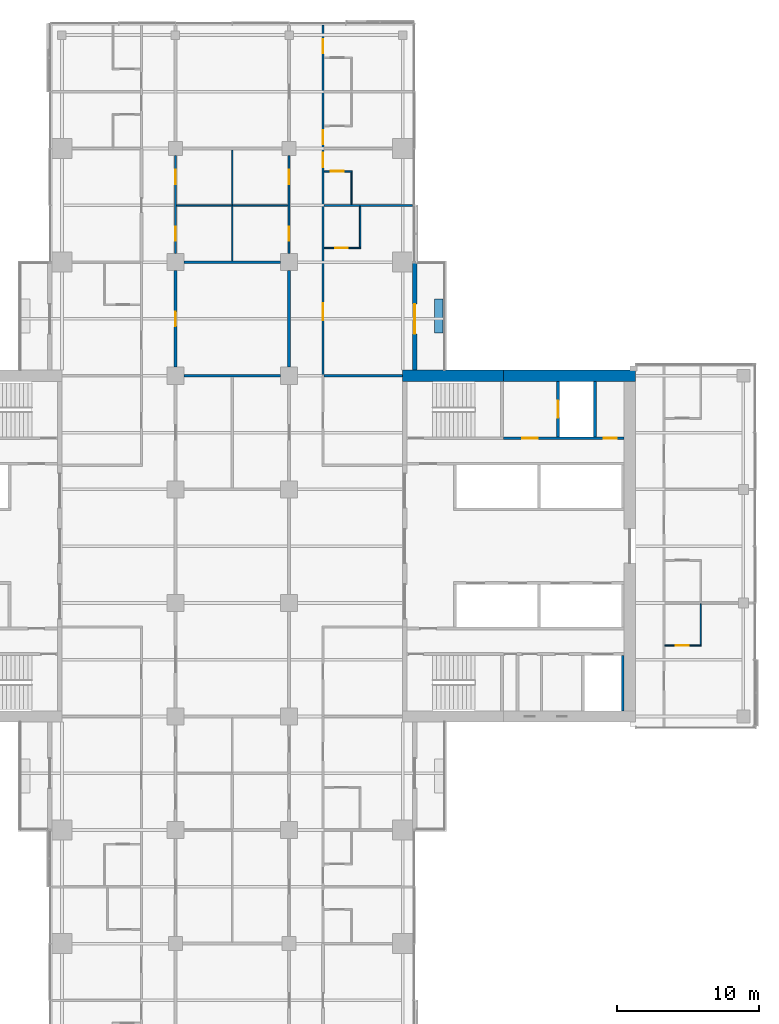
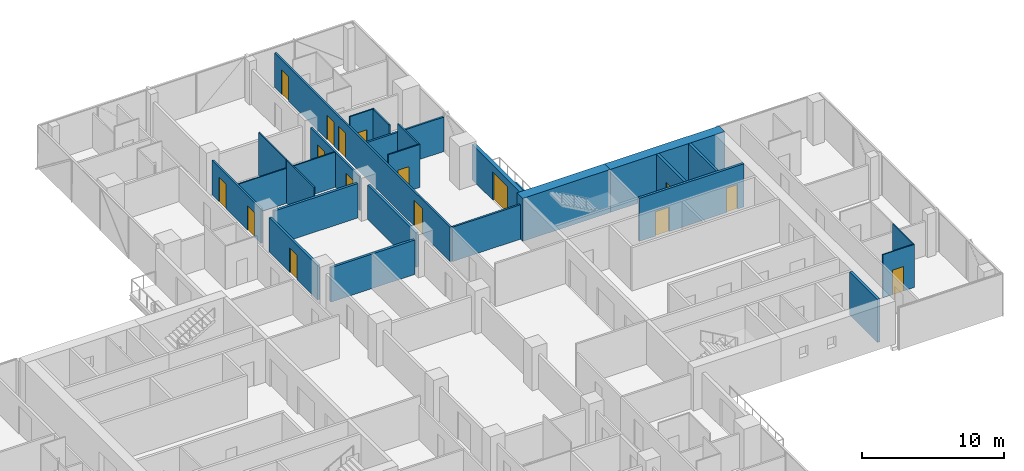
# One storey, part 20 of 27: 26 walls, 16 doors, 16 openings.
"""IFC4 building model written with IfcOpenShell, lengths in metres."""

from ifc_helpers import new_model, si_unit, direction, frame, frame_2d, origin, place, context, subcontext, project, spatial, rectangle, extrude, material, layer, layer_set, constituent, constituent_set, type_object, element, fill, save


model = new_model("IFC4")

# Units and contexts
model_context = context("Model", 3, precision=1e-05, world=origin(), true_north=direction((0.0, 1.0)))
body_context = subcontext(model_context, "Body", "Model", "MODEL_VIEW")
ifc_project = project(units=[si_unit("LENGTHUNIT", "METRE"), si_unit("AREAUNIT", "SQUARE_METRE"), si_unit("VOLUMEUNIT", "CUBIC_METRE"), si_unit("PLANEANGLEUNIT", "RADIAN"), si_unit("MASSUNIT", "GRAM", prefix="KILO")], contexts=[model_context])

# Site, building, storey
site_placement = place(None, origin())
site = spatial("IfcSite", under=ifc_project, at=site_placement, CompositionType="ELEMENT")
building_placement = place(site_placement, origin())
building = spatial("IfcBuilding", under=site, at=building_placement, Name="Crosswind Convention Tower", CompositionType="ELEMENT")
storey_placement = place(building_placement, frame((0.0, 0.0, 83.10009765625)))
storey = spatial("IfcBuildingStorey", under=building, at=storey_placement, Name="L15", CompositionType="ELEMENT", Elevation=83.10009765625)

# Wall, openings, doors
ifc_material_1 = material(Name="Plasterboard partition", Category="gypsum")
ifc_layer_1 = layer(ifc_material_1, 0.14990234375)
ifc_layer_set_1 = layer_set([ifc_layer_1], Name="CORRIDOR WALL 150")
wall_type_1 = type_object("IfcWallType", Name="CORRIDOR WALL 150", PredefinedType="PARTITIONING", material=ifc_layer_set_1)
wall_1_placement = place(storey_placement, frame((121.0, 120.60009765625, 0.0), z_axis=(0.0, 0.0, 1.0), x_axis=(0.0, 1.0, 0.0)))
wall_1 = element("IfcWall", 1, at=wall_1_placement, inside=storey, type_object=wall_type_1, Name="Corridor Wall 87", PredefinedType="PARTITIONING", context=body_context, shape_type="SweptSolid", body=[
    extrude(rectangle(XDim=6.89990234375, YDim=0.14990234375, at=frame_2d((3.449951171875, 0.0))), origin(), (0.0, 0.0, 1.0), 2.959716796875),
])
opening_1_placement = place(wall_1_placement, frame((0.89990234375, 0.0, 0.0)))
opening_1 = element("IfcOpeningElement", 2, at=opening_1_placement, cuts=wall_1, Name="Opening 15.059", PredefinedType="OPENING", context=body_context, shape_type="SweptSolid", body=[
    extrude(rectangle(XDim=1.0, YDim=2.10009765625, at=frame_2d((0.5, 1.050048828125))), frame((0.0, 0.0849609375, 0.0), z_axis=(0.0, -1.0, 0.0), x_axis=(1.0, 0.0, 0.0)), (0.0, 0.0, 1.0), 0.169921875),
])
opening_2_placement = place(wall_1_placement, frame((4.89990234375, 0.0, 0.0)))
opening_2 = element("IfcOpeningElement", 3, at=opening_2_placement, cuts=wall_1, Name="Opening 15.060", PredefinedType="OPENING", context=body_context, shape_type="SweptSolid", body=[
    extrude(rectangle(XDim=1.0, YDim=2.10009765625, at=frame_2d((0.5, 1.050048828125))), frame((0.0, 0.0849609375, 0.0), z_axis=(0.0, -1.0, 0.0), x_axis=(1.0, 0.0, 0.0)), (0.0, 0.0, 1.0), 0.169921875),
])
ifc_material_2 = material(Name="Timber fire door", Category="wood")
door_type_1 = type_object("IfcDoorType", Name="SERVICE ROOM DOOR 1000X2100", OperationType="NOTDEFINED", PredefinedType="DOOR", material=ifc_material_2)
door_1_placement = place(opening_1_placement, frame((1.0, 0.0, 0.0), z_axis=(0.0, 0.0, 1.0), x_axis=(-1.0, 0.0, 0.0)))
door_1 = element("IfcDoor", 4, at=door_1_placement, inside=storey, type_object=door_type_1, Name="Door 15.059", ObjectType="D3", OperationType="SINGLE_SWING_RIGHT", OverallHeight=2.10009765625, OverallWidth=1.0, PredefinedType="DOOR", context=body_context, shape_type="SweptSolid", body=[
    extrude(rectangle(XDim=1.0, YDim=2.10009765625, at=frame_2d((0.5, 1.050048828125))), frame((0.0, 0.02490234375, 0.0), z_axis=(0.0, -1.0, 0.0), x_axis=(1.0, 0.0, 0.0)), (0.0, 0.0, 1.0), 0.050048828125),
])
fill(opening_1, door_1)
door_2_placement = place(opening_2_placement, frame((1.0, 0.0, 0.0), z_axis=(0.0, 0.0, 1.0), x_axis=(-1.0, 0.0, 0.0)))
door_2 = element("IfcDoor", 5, at=door_2_placement, inside=storey, type_object=door_type_1, Name="Door 15.060", ObjectType="D3", OperationType="SINGLE_SWING_LEFT", OverallHeight=2.10009765625, OverallWidth=1.0, PredefinedType="DOOR", context=body_context, shape_type="SweptSolid", body=[
    extrude(rectangle(XDim=1.0, YDim=2.10009765625, at=frame_2d((0.5, 1.050048828125))), frame((0.0, 0.02490234375, 0.0), z_axis=(0.0, -1.0, 0.0), x_axis=(1.0, 0.0, 0.0)), (0.0, 0.0, 1.0), 0.050048828125),
])
fill(opening_2, door_2)

wall_2_placement = place(storey_placement, frame((129.0, 120.60009765625, 0.0), z_axis=(0.0, 0.0, 1.0), x_axis=(0.0, 1.0, 0.0)))
wall_2 = element("IfcWall", 6, at=wall_2_placement, inside=storey, type_object=wall_type_1, Name="Corridor Wall 105", PredefinedType="PARTITIONING", context=body_context, shape_type="SweptSolid", body=[
    extrude(rectangle(XDim=6.89990234375, YDim=0.14990234375, at=frame_2d((3.449951171875, 0.0))), origin(), (0.0, 0.0, 1.0), 2.959716796875),
])
opening_3_placement = place(wall_2_placement, frame((0.89990234375, 0.0, 0.0)))
opening_3 = element("IfcOpeningElement", 7, at=opening_3_placement, cuts=wall_2, Name="Opening 15.061", PredefinedType="OPENING", context=body_context, shape_type="SweptSolid", body=[
    extrude(rectangle(XDim=1.0, YDim=2.10009765625, at=frame_2d((0.5, 1.050048828125))), frame((0.0, 0.0849609375, 0.0), z_axis=(0.0, -1.0, 0.0), x_axis=(1.0, 0.0, 0.0)), (0.0, 0.0, 1.0), 0.169921875),
])
opening_4_placement = place(wall_2_placement, frame((4.89990234375, 0.0, 0.0)))
opening_4 = element("IfcOpeningElement", 8, at=opening_4_placement, cuts=wall_2, Name="Opening 15.062", PredefinedType="OPENING", context=body_context, shape_type="SweptSolid", body=[
    extrude(rectangle(XDim=1.0, YDim=2.10009765625, at=frame_2d((0.5, 1.050048828125))), frame((0.0, 0.0849609375, 0.0), z_axis=(0.0, -1.0, 0.0), x_axis=(1.0, 0.0, 0.0)), (0.0, 0.0, 1.0), 0.169921875),
])
door_3_placement = place(opening_3_placement, origin())
door_3 = element("IfcDoor", 9, at=door_3_placement, inside=storey, type_object=door_type_1, Name="Door 15.061", ObjectType="D3", OperationType="SINGLE_SWING_LEFT", OverallHeight=2.10009765625, OverallWidth=1.0, PredefinedType="DOOR", context=body_context, shape_type="SweptSolid", body=[
    extrude(rectangle(XDim=1.0, YDim=2.10009765625, at=frame_2d((0.5, 1.050048828125))), frame((0.0, 0.02490234375, 0.0), z_axis=(0.0, -1.0, 0.0), x_axis=(1.0, 0.0, 0.0)), (0.0, 0.0, 1.0), 0.050048828125),
])
fill(opening_3, door_3)
door_4_placement = place(opening_4_placement, origin())
door_4 = element("IfcDoor", 10, at=door_4_placement, inside=storey, type_object=door_type_1, Name="Door 15.062", ObjectType="D3", OperationType="SINGLE_SWING_RIGHT", OverallHeight=2.10009765625, OverallWidth=1.0, PredefinedType="DOOR", context=body_context, shape_type="SweptSolid", body=[
    extrude(rectangle(XDim=1.0, YDim=2.10009765625, at=frame_2d((0.5, 1.050048828125))), frame((0.0, 0.02490234375, 0.0), z_axis=(0.0, -1.0, 0.0), x_axis=(1.0, 0.0, 0.0)), (0.0, 0.0, 1.0), 0.050048828125),
])
fill(opening_4, door_4)

# Wall, opening, door
ifc_material_3 = material(Name="Concrete C50/60", Category="concrete")
ifc_layer_2 = layer(ifc_material_3, 0.199951171875)
ifc_layer_set_2 = layer_set([ifc_layer_2], Name="Concrete C50/60")
wall_type_2 = type_object("IfcWallType", Name="Concrete shaft and stair wall 200", PredefinedType="SHEAR", material=ifc_layer_set_2)
wall_3_placement = place(storey_placement, frame((147.949951171875, 107.699951171875, 0.0), z_axis=(0.0, 0.0, 1.0), x_axis=(0.0, 1.0, 0.0)))
wall_3 = element("IfcWall", 11, at=wall_3_placement, inside=storey, type_object=wall_type_2, Name="Wall PFLW E L15", PredefinedType="SHEAR", context=body_context, shape_type="SweptSolid", body=[
    extrude(rectangle(XDim=3.900146484375, YDim=0.199951171875, at=frame_2d((1.9501953125, 0.0))), origin(), (0.0, 0.0, 1.0), 3.699951171875),
])
opening_5_placement = place(wall_3_placement, frame((1.35009765625, 0.0, 0.0)))
opening_5 = element("IfcOpeningElement", 12, at=opening_5_placement, cuts=wall_3, Name="Opening LD1", PredefinedType="OPENING", context=body_context, shape_type="SweptSolid", body=[
    extrude(rectangle(XDim=1.199951171875, YDim=2.10009765625, at=frame_2d((0.60009765625, 1.050048828125))), frame((0.0, 0.10986328125, 0.0), z_axis=(0.0, -1.0, 0.0), x_axis=(1.0, 0.0, 0.0)), (0.0, 0.0, 1.0), 0.219970703125),
])
ifc_material_4 = material(Name="Stainless steel", Category="steel")
door_type_2 = type_object("IfcDoorType", Name="Lift landing door 1200x2100", OperationType="DOUBLE_DOOR_SLIDING", PredefinedType="DOOR", material=ifc_material_4)
door_5_placement = place(opening_5_placement, origin())
door_5 = element("IfcDoor", 13, at=door_5_placement, inside=storey, type_object=door_type_2, Name="Landing door FF1 L15", ObjectType="LD1", OperationType="DOUBLE_DOOR_SLIDING", OverallHeight=2.10009765625, OverallWidth=1.199951171875, PredefinedType="DOOR", context=body_context, shape_type="SweptSolid", body=[
    extrude(rectangle(XDim=1.199951171875, YDim=2.10009765625, at=frame_2d((0.60009765625, 1.050048828125))), frame((0.0, 0.02490234375, 0.0), z_axis=(0.0, -1.0, 0.0), x_axis=(1.0, 0.0, 0.0)), (0.0, 0.0, 1.0), 0.050048828125),
])
fill(opening_5, door_5)

# Wall
wall_4_placement = place(storey_placement, frame((150.550048828125, 107.699951171875, 0.0), z_axis=(0.0, 0.0, 1.0), x_axis=(0.0, 1.0, 0.0)))
element("IfcWall", 14, at=wall_4_placement, inside=storey, type_object=wall_type_2, Name="Wall PFSE E L15", PredefinedType="SHEAR", context=body_context, shape_type="SweptSolid", body=[
    extrude(rectangle(XDim=3.900146484375, YDim=0.199951171875, at=frame_2d((1.9501953125, 0.0))), origin(), (0.0, 0.0, 1.0), 3.699951171875),
])

# Wall, openings, doors
wall_5_placement = place(storey_placement, frame((144.10009765625, 107.60009765625, 0.0), z_axis=(0.0, 0.0, 1.0), x_axis=(1.0, 0.0, 0.0)))
wall_5 = element("IfcWall", 15, at=wall_5_placement, inside=storey, type_object=wall_type_2, Name="Wall PCX E L15", PredefinedType="SHEAR", context=body_context, shape_type="SweptSolid", body=[
    extrude(rectangle(XDim=8.5, YDim=0.199951171875, at=frame_2d((4.25, 0.0))), origin(), (0.0, 0.0, 1.0), 3.699951171875),
])
opening_6_placement = place(wall_5_placement, frame((1.324951171875, 0.0, 0.0)))
opening_6 = element("IfcOpeningElement", 16, at=opening_6_placement, cuts=wall_5, Name="Opening D104", PredefinedType="OPENING", context=body_context, shape_type="SweptSolid", body=[
    extrude(rectangle(XDim=1.10009765625, YDim=2.10009765625, at=frame_2d((0.550048828125, 1.050048828125))), frame((0.0, 0.10986328125, 0.0), z_axis=(0.0, -1.0, 0.0), x_axis=(1.0, 0.0, 0.0)), (0.0, 0.0, 1.0), 0.219970703125),
])
opening_7_placement = place(wall_5_placement, frame((7.074951171875, 0.0, 0.0)))
opening_7 = element("IfcOpeningElement", 17, at=opening_7_placement, cuts=wall_5, Name="Opening D106", PredefinedType="OPENING", context=body_context, shape_type="SweptSolid", body=[
    extrude(rectangle(XDim=0.89990234375, YDim=2.10009765625, at=frame_2d((0.449951171875, 1.050048828125))), frame((0.0, 0.10986328125, 0.0), z_axis=(0.0, -1.0, 0.0), x_axis=(1.0, 0.0, 0.0)), (0.0, 0.0, 1.0), 0.219970703125),
])
ifc_material_5 = material(Name="Steel fire door", Category="steel")
door_type_3 = type_object("IfcDoorType", Name="Fire-rated single door 1100x2100", OperationType="NOTDEFINED", PredefinedType="DOOR", material=ifc_material_5)
door_6_placement = place(opening_6_placement, origin())
door_6 = element("IfcDoor", 18, at=door_6_placement, inside=storey, type_object=door_type_3, Name="Fire-fighting lobby FF1 door L15", ObjectType="D104", OperationType="SINGLE_SWING_RIGHT", OverallHeight=2.10009765625, OverallWidth=1.10009765625, PredefinedType="DOOR", context=body_context, shape_type="SweptSolid", body=[
    extrude(rectangle(XDim=1.10009765625, YDim=2.10009765625, at=frame_2d((0.550048828125, 1.050048828125))), frame((0.0, 0.02490234375, 0.0), z_axis=(0.0, -1.0, 0.0), x_axis=(1.0, 0.0, 0.0)), (0.0, 0.0, 1.0), 0.050048828125),
])
fill(opening_6, door_6)
ifc_material_6 = material(Name="Timber door", Category="wood")
door_type_4 = type_object("IfcDoorType", Name="Single leaf door 900x2100", OperationType="NOTDEFINED", PredefinedType="DOOR", material=ifc_material_6)
door_7_placement = place(opening_7_placement, origin())
door_7 = element("IfcDoor", 19, at=door_7_placement, inside=storey, type_object=door_type_4, Name="Door to comms room L15", ObjectType="D106", OperationType="SINGLE_SWING_RIGHT", OverallHeight=2.10009765625, OverallWidth=0.89990234375, PredefinedType="DOOR", context=body_context, shape_type="SweptSolid", body=[
    extrude(rectangle(XDim=0.89990234375, YDim=2.10009765625, at=frame_2d((0.449951171875, 1.050048828125))), frame((0.0, 0.02490234375, 0.0), z_axis=(0.0, -1.0, 0.0), x_axis=(1.0, 0.0, 0.0)), (0.0, 0.0, 1.0), 0.050048828125),
])
fill(opening_7, door_7)

# Walls
wall_6_placement = place(storey_placement, frame((152.5, 88.39990234375, 0.0), z_axis=(0.0, 0.0, 1.0), x_axis=(0.0, 1.0, 0.0)))
element("IfcWall", 20, at=wall_6_placement, inside=storey, type_object=wall_type_2, Name="Wall MFSE E L15", PredefinedType="SHEAR", context=body_context, shape_type="SweptSolid", body=[
    extrude(rectangle(XDim=3.900146484375, YDim=0.199951171875, at=frame_2d((1.9501953125, 0.0))), origin(), (0.0, 0.0, 1.0), 3.699951171875),
])
ifc_material_7 = material(Name="Acoustic plasterboard partition", Category="gypsum")
ifc_layer_3 = layer(ifc_material_7, 0.14990234375)
ifc_layer_set_3 = layer_set([ifc_layer_3], Name="GUEST ROOM WALL 150")
wall_type_3 = type_object("IfcWallType", Name="GUEST ROOM WALL 150", PredefinedType="PARTITIONING", material=ifc_layer_set_3)
wall_7_placement = place(storey_placement, frame((131.47509765625, 112.0, 0.0), z_axis=(0.0, 0.0, 1.0), x_axis=(1.0, 0.0, 0.0)))
element("IfcWall", 21, at=wall_7_placement, inside=storey, type_object=wall_type_3, Name="Guest Room Wall 44", PredefinedType="PARTITIONING", context=body_context, shape_type="SweptSolid", body=[
    extrude(rectangle(XDim=5.52490234375, YDim=0.14990234375, at=frame_2d((2.762451171875, 0.0))), origin(), (0.0, 0.0, 1.0), 2.956298828125),
])
wall_8_placement = place(storey_placement, frame((131.47509765625, 124.0, 0.0), z_axis=(0.0, 0.0, 1.0), x_axis=(1.0, 0.0, 0.0)))
element("IfcWall", 22, at=wall_8_placement, inside=storey, type_object=wall_type_3, Name="Guest Room Wall 50", PredefinedType="PARTITIONING", context=body_context, shape_type="SweptSolid", body=[
    extrude(rectangle(XDim=6.224853515625, YDim=0.14990234375, at=frame_2d((3.1123046875, 0.0))), origin(), (0.0, 0.0, 1.0), 2.962646484375),
])

# Wall, openings, doors
wall_9_placement = place(storey_placement, frame((131.39990234375, 112.0, 0.0), z_axis=(0.0, 0.0, 1.0), x_axis=(0.0, 1.0, 0.0)))
wall_9 = element("IfcWall", 23, at=wall_9_placement, inside=storey, type_object=wall_type_3, Name="Guest Room Wall 112", PredefinedType="PARTITIONING", context=body_context, shape_type="SweptSolid", body=[
    extrude(rectangle(XDim=24.699951171875, YDim=0.14990234375, at=frame_2d((12.35009765625, 0.0))), origin(), (0.0, 0.0, 1.0), 2.956298828125),
])
opening_8_placement = place(wall_9_placement, frame((3.89990234375, 0.0, 0.0)))
opening_8 = element("IfcOpeningElement", 24, at=opening_8_placement, cuts=wall_9, Name="Opening 15.005", PredefinedType="OPENING", context=body_context, shape_type="SweptSolid", body=[
    extrude(rectangle(XDim=1.199951171875, YDim=2.199951171875, at=frame_2d((0.60009765625, 1.10009765625))), frame((0.0, 0.0849609375, 0.0), z_axis=(0.0, -1.0, 0.0), x_axis=(1.0, 0.0, 0.0)), (0.0, 0.0, 1.0), 0.169921875),
])
opening_9_placement = place(wall_9_placement, frame((14.699951171875, 0.0, 0.0)))
opening_9 = element("IfcOpeningElement", 25, at=opening_9_placement, cuts=wall_9, Name="Opening 15.007", PredefinedType="OPENING", context=body_context, shape_type="SweptSolid", body=[
    extrude(rectangle(XDim=1.0, YDim=2.10009765625, at=frame_2d((0.5, 1.050048828125))), frame((0.0, 0.0849609375, 0.0), z_axis=(0.0, -1.0, 0.0), x_axis=(1.0, 0.0, 0.0)), (0.0, 0.0, 1.0), 0.169921875),
])
opening_10_placement = place(wall_9_placement, frame((16.300048828125, 0.0, 0.0)))
opening_10 = element("IfcOpeningElement", 26, at=opening_10_placement, cuts=wall_9, Name="Opening 15.009", PredefinedType="OPENING", context=body_context, shape_type="SweptSolid", body=[
    extrude(rectangle(XDim=1.0, YDim=2.10009765625, at=frame_2d((0.5, 1.050048828125))), frame((0.0, 0.0849609375, 0.0), z_axis=(0.0, -1.0, 0.0), x_axis=(1.0, 0.0, 0.0)), (0.0, 0.0, 1.0), 0.169921875),
])
opening_11_placement = place(wall_9_placement, frame((22.699951171875, 0.0, 0.0)))
opening_11 = element("IfcOpeningElement", 27, at=opening_11_placement, cuts=wall_9, Name="Opening 15.011", PredefinedType="OPENING", context=body_context, shape_type="SweptSolid", body=[
    extrude(rectangle(XDim=1.0, YDim=2.10009765625, at=frame_2d((0.5, 1.050048828125))), frame((0.0, 0.0849609375, 0.0), z_axis=(0.0, -1.0, 0.0), x_axis=(1.0, 0.0, 0.0)), (0.0, 0.0, 1.0), 0.169921875),
])
door_type_5 = type_object("IfcDoorType", Name="GUEST ROOM DOOR 1000X2100", OperationType="NOTDEFINED", PredefinedType="DOOR", material=ifc_material_2)
door_8_placement = place(opening_9_placement, frame((1.0, 0.0, 0.0), z_axis=(0.0, 0.0, 1.0), x_axis=(-1.0, 0.0, 0.0)))
door_8 = element("IfcDoor", 28, at=door_8_placement, inside=storey, type_object=door_type_5, Name="Door 15.007", ObjectType="D1", OperationType="SINGLE_SWING_LEFT", OverallHeight=2.10009765625, OverallWidth=1.0, PredefinedType="DOOR", context=body_context, shape_type="SweptSolid", body=[
    extrude(rectangle(XDim=1.0, YDim=2.10009765625, at=frame_2d((0.5, 1.050048828125))), frame((0.0, 0.02490234375, 0.0), z_axis=(0.0, -1.0, 0.0), x_axis=(1.0, 0.0, 0.0)), (0.0, 0.0, 1.0), 0.050048828125),
])
fill(opening_9, door_8)
door_9_placement = place(opening_10_placement, frame((1.0, 0.0, 0.0), z_axis=(0.0, 0.0, 1.0), x_axis=(-1.0, 0.0, 0.0)))
door_9 = element("IfcDoor", 29, at=door_9_placement, inside=storey, type_object=door_type_5, Name="Door 15.009", ObjectType="D1", OperationType="SINGLE_SWING_LEFT", OverallHeight=2.10009765625, OverallWidth=1.0, PredefinedType="DOOR", context=body_context, shape_type="SweptSolid", body=[
    extrude(rectangle(XDim=1.0, YDim=2.10009765625, at=frame_2d((0.5, 1.050048828125))), frame((0.0, 0.02490234375, 0.0), z_axis=(0.0, -1.0, 0.0), x_axis=(1.0, 0.0, 0.0)), (0.0, 0.0, 1.0), 0.050048828125),
])
fill(opening_10, door_9)
door_10_placement = place(opening_11_placement, frame((1.0, 0.0, 0.0), z_axis=(0.0, 0.0, 1.0), x_axis=(-1.0, 0.0, 0.0)))
door_10 = element("IfcDoor", 30, at=door_10_placement, inside=storey, type_object=door_type_5, Name="Door 15.011", ObjectType="D1", OperationType="SINGLE_SWING_RIGHT", OverallHeight=2.10009765625, OverallWidth=1.0, PredefinedType="DOOR", context=body_context, shape_type="SweptSolid", body=[
    extrude(rectangle(XDim=1.0, YDim=2.10009765625, at=frame_2d((0.5, 1.050048828125))), frame((0.0, 0.02490234375, 0.0), z_axis=(0.0, -1.0, 0.0), x_axis=(1.0, 0.0, 0.0)), (0.0, 0.0, 1.0), 0.050048828125),
])
fill(opening_11, door_10)
door_type_6 = type_object("IfcDoorType", Name="SUITE DOOR 1200X2200", OperationType="DOUBLE_DOOR_SINGLE_SWING", PredefinedType="DOOR", material=ifc_material_2)
door_11_placement = place(opening_8_placement, frame((1.199951171875, 0.0, 0.0), z_axis=(0.0, 0.0, 1.0), x_axis=(-1.0, 0.0, 0.0)))
door_11 = element("IfcDoor", 31, at=door_11_placement, inside=storey, type_object=door_type_6, Name="Door 15.005", ObjectType="D14", OperationType="DOUBLE_DOOR_SINGLE_SWING", OverallHeight=2.199951171875, OverallWidth=1.199951171875, PredefinedType="DOOR", context=body_context, shape_type="SweptSolid", body=[
    extrude(rectangle(XDim=1.199951171875, YDim=2.199951171875, at=frame_2d((0.60009765625, 1.10009765625))), frame((0.0, 0.02490234375, 0.0), z_axis=(0.0, -1.0, 0.0), x_axis=(1.0, 0.0, 0.0)), (0.0, 0.0, 1.0), 0.050048828125),
])
fill(opening_8, door_11)

# Walls
ifc_material_8 = material(Name="Double plasterboard partition", Category="gypsum")
ifc_layer_4 = layer(ifc_material_8, 0.199951171875)
ifc_layer_set_4 = layer_set([ifc_layer_4], Name="HALL WALL 200")
wall_type_4 = type_object("IfcWallType", Name="HALL WALL 200", PredefinedType="PARTITIONING", material=ifc_layer_set_4)
for number, where, z_axis, x_axis, name in (
    (32, (121.60009765625, 112.0, 0.0), (0.0, 0.0, 1.0), (1.0, 0.0, 0.0), "Hall Wall 43"),
    (33, (121.60009765625, 120.0, 0.0), (0.0, 0.0, 1.0), (1.0, 0.0, 0.0), "Hall Wall 47"),
):
    element("IfcWall", number, at=place(storey_placement, frame(where, z_axis=z_axis, x_axis=x_axis)), inside=storey, type_object=wall_type_4, Name=name, PredefinedType="PARTITIONING", context=body_context, shape_type="SweptSolid", body=[
        extrude(rectangle(XDim=6.7998046875, YDim=0.199951171875, at=frame_2d((3.39990234375, 0.0))), origin(), (0.0, 0.0, 1.0), 2.959716796875),
    ])

# Wall, opening, door
wall_10_placement = place(storey_placement, frame((121.0, 112.60009765625, 0.0), z_axis=(0.0, 0.0, 1.0), x_axis=(0.0, 1.0, 0.0)))
wall_10 = element("IfcWall", 34, at=wall_10_placement, inside=storey, type_object=wall_type_4, Name="Hall Wall 86", PredefinedType="PARTITIONING", context=body_context, shape_type="SweptSolid", body=[
    extrude(rectangle(XDim=6.7998046875, YDim=0.199951171875, at=frame_2d((3.39990234375, 0.0))), origin(), (0.0, 0.0, 1.0), 2.959716796875),
])
opening_12_placement = place(wall_10_placement, frame((2.89990234375, 0.0, 0.0)))
opening_12 = element("IfcOpeningElement", 35, at=opening_12_placement, cuts=wall_10, Name="Opening 15.058", PredefinedType="OPENING", context=body_context, shape_type="SweptSolid", body=[
    extrude(rectangle(XDim=1.0, YDim=2.10009765625, at=frame_2d((0.5, 1.050048828125))), frame((0.0, 0.10986328125, 0.0), z_axis=(0.0, -1.0, 0.0), x_axis=(1.0, 0.0, 0.0)), (0.0, 0.0, 1.0), 0.219970703125),
])
door_type_7 = type_object("IfcDoorType", Name="MEETING ROOM DOOR 1000X2100", OperationType="NOTDEFINED", PredefinedType="DOOR", material=ifc_material_2)
door_12_placement = place(opening_12_placement, frame((1.0, 0.0, 0.0), z_axis=(0.0, 0.0, 1.0), x_axis=(-1.0, 0.0, 0.0)))
door_12 = element("IfcDoor", 36, at=door_12_placement, inside=storey, type_object=door_type_7, Name="Door 15.058", ObjectType="D13", OperationType="SINGLE_SWING_LEFT", OverallHeight=2.10009765625, OverallWidth=1.0, PredefinedType="DOOR", context=body_context, shape_type="SweptSolid", body=[
    extrude(rectangle(XDim=1.0, YDim=2.10009765625, at=frame_2d((0.5, 1.050048828125))), frame((0.0, 0.02490234375, 0.0), z_axis=(0.0, -1.0, 0.0), x_axis=(1.0, 0.0, 0.0)), (0.0, 0.0, 1.0), 0.050048828125),
])
fill(opening_12, door_12)

# Walls
wall_11_placement = place(storey_placement, frame((129.0, 112.60009765625, 0.0), z_axis=(0.0, 0.0, 1.0), x_axis=(0.0, 1.0, 0.0)))
element("IfcWall", 37, at=wall_11_placement, inside=storey, type_object=wall_type_4, Name="Hall Wall 104", PredefinedType="PARTITIONING", context=body_context, shape_type="SweptSolid", body=[
    extrude(rectangle(XDim=6.7998046875, YDim=0.199951171875, at=frame_2d((3.39990234375, 0.0))), origin(), (0.0, 0.0, 1.0), 2.959716796875),
])
ifc_layer_5 = layer(ifc_material_1, 0.10009765625)
ifc_layer_set_5 = layer_set([ifc_layer_5], Name="PARTITION 100")
wall_type_5 = type_object("IfcWallType", Name="PARTITION 100", PredefinedType="PARTITIONING", material=ifc_layer_set_5)
wall_12_placement = place(storey_placement, frame((121.074951171875, 124.0, 0.0), z_axis=(0.0, 0.0, 1.0), x_axis=(1.0, 0.0, 0.0)))
element("IfcWall", 38, at=wall_12_placement, inside=storey, type_object=wall_type_5, Name="Partition 49", PredefinedType="PARTITIONING", context=body_context, shape_type="SweptSolid", body=[
    extrude(rectangle(XDim=7.85009765625, YDim=0.10009765625, at=frame_2d((3.925048828125, 0.0))), origin(), (0.0, 0.0, 1.0), 3.013427734375),
])
for number, where, z_axis, x_axis, name in (
    (39, (125.0, 120.10009765625, 0.0), (0.0, 0.0, 1.0), (0.0, 1.0, 0.0), "Partition 94"),
    (40, (125.0, 124.050048828125, 0.0), (0.0, 0.0, 1.0), (0.0, 1.0, 0.0), "Partition 95"),
):
    element("IfcWall", number, at=place(storey_placement, frame(where, z_axis=z_axis, x_axis=x_axis)), inside=storey, type_object=wall_type_5, Name=name, PredefinedType="PARTITIONING", context=body_context, shape_type="SweptSolid", body=[
        extrude(rectangle(XDim=3.849853515625, YDim=0.10009765625, at=frame_2d((1.9248046875, 0.0))), origin(), (0.0, 0.0, 1.0), 3.699951171875),
    ])
ifc_material_9 = material(Name="Concrete C30/37", Category="concrete")
ifc_layer_6 = layer(ifc_material_9, 0.60009765625)
ifc_layer_set_6 = layer_set([ifc_layer_6], Name="Concrete C30/37")
wall_type_6 = type_object("IfcWallType", Name="PLANTER BOX WALL 600", PredefinedType="SOLIDWALL", material=ifc_layer_set_6)
wall_13_placement = place(storey_placement, frame((139.550048828125, 115.0, 0.0), z_axis=(0.0, 0.0, 1.0), x_axis=(0.0, 1.0, 0.0)))
element("IfcWall", 41, at=wall_13_placement, inside=storey, type_object=wall_type_6, Name="PLANTER L15 N-E.1-1", PredefinedType="SOLIDWALL", context=body_context, shape_type="SweptSolid", body=[
    extrude(rectangle(XDim=2.39990234375, YDim=0.60009765625, at=frame_2d((1.199951171875, 0.0))), origin(), (0.0, 0.0, 1.0), 0.599853515625),
])

# Wall, opening, door
ifc_material_10 = material(Name="Terracotta rainscreen", Category="ceramic")
ifc_layer_7 = layer(ifc_material_10, 0.02001953125)
ifc_material_11 = material(Name="Mineral wool insulation", Category="insulation")
ifc_layer_8 = layer(ifc_material_11, 0.10009765625)
ifc_material_12 = material(Name="Concrete blockwork", Category="masonry")
ifc_layer_9 = layer(ifc_material_12, 0.179931640625)
ifc_layer_set_7 = layer_set([ifc_layer_7, ifc_layer_8, ifc_layer_9], Name="TERRACOTTA INFILL WALL 300")
wall_type_7 = type_object("IfcWallType", Name="TERRACOTTA INFILL WALL 300", PredefinedType="SOLIDWALL", material=ifc_layer_set_7)
wall_14_placement = place(storey_placement, frame((137.85009765625, 112.39990234375, 0.0), z_axis=(0.0, 0.0, 1.0), x_axis=(0.0, 1.0, 0.0)))
wall_14 = element("IfcWall", 42, at=wall_14_placement, inside=storey, type_object=wall_type_7, Name="Notch front wall L15 N-E.1-1", PredefinedType="SOLIDWALL", context=body_context, shape_type="SweptSolid", body=[
    extrude(rectangle(XDim=7.567626953125, YDim=0.300048828125, at=frame_2d((3.78369140625, 0.0))), origin(), (0.0, 0.0, 1.0), 3.013427734375),
])
opening_13_placement = place(wall_14_placement, frame((2.550048828125, 0.0, 0.0)))
opening_13 = element("IfcOpeningElement", 43, at=opening_13_placement, cuts=wall_14, Name="Opening D141", PredefinedType="OPENING", context=body_context, shape_type="SweptSolid", body=[
    extrude(rectangle(XDim=2.10009765625, YDim=2.39990234375, at=frame_2d((1.050048828125, 1.199951171875))), frame((0.0, 0.159912109375, 0.0), z_axis=(0.0, -1.0, 0.0), x_axis=(1.0, 0.0, 0.0)), (0.0, 0.0, 1.0), 0.320068359375),
])
ifc_material_13 = material(Name="Aluminium glazed door", Category="aluminium")
door_type_8 = type_object("IfcDoorType", Name="BALCONY SLIDING DOOR 2100X2400", OperationType="SLIDING_TO_LEFT", PredefinedType="DOOR", material=ifc_material_13)
door_13_placement = place(opening_13_placement, frame((2.10009765625, 0.0, 0.0), z_axis=(0.0, 0.0, 1.0), x_axis=(-1.0, 0.0, 0.0)))
door_13 = element("IfcDoor", 44, at=door_13_placement, inside=storey, type_object=door_type_8, Name="D141 balcony door L15 N-E.1-1", ObjectType="D141", OperationType="SLIDING_TO_LEFT", OverallHeight=2.39990234375, OverallWidth=2.10009765625, PredefinedType="DOOR", context=body_context, shape_type="SweptSolid", body=[
    extrude(rectangle(XDim=2.10009765625, YDim=2.39990234375, at=frame_2d((1.050048828125, 1.199951171875))), frame((0.0, 0.02490234375, 0.0), z_axis=(0.0, -1.0, 0.0), x_axis=(1.0, 0.0, 0.0)), (0.0, 0.0, 1.0), 0.050048828125),
])
fill(opening_13, door_13)

# Walls
ifc_material_14 = material(Name="Concrete C60/75", Category="concrete")
ifc_constituent_1 = constituent(ifc_material_14, Name="Structure")
ifc_constituent_2 = constituent(ifc_material_10, Name="Facing")
ifc_constituent_set = constituent_set(constituents=[ifc_constituent_1, ifc_constituent_2], Name="Concrete C60/75, Terracotta rainscreen")
wall_type_8 = type_object("IfcWallType", Name="Terracotta rainscreen on concrete core wall 800", PredefinedType="SHEAR", material=ifc_constituent_set)
wall_15_placement = place(storey_placement, frame((137.0, 112.0, 0.0), z_axis=(0.0, 0.0, 1.0), x_axis=(1.0, 0.0, 0.0)))
element("IfcWall", 45, at=wall_15_placement, inside=storey, type_object=wall_type_8, Name="Wall N1 E L15", PredefinedType="SHEAR", context=body_context, shape_type="SweptSolid", body=[
    extrude(rectangle(XDim=7.10009765625, YDim=0.800048828125, at=frame_2d((3.550048828125, 0.0))), origin(), (0.0, 0.0, 1.0), 3.699951171875),
])
wall_16_placement = place(storey_placement, frame((144.10009765625, 112.0, 0.0), z_axis=(0.0, 0.0, 1.0), x_axis=(1.0, 0.0, 0.0)))
element("IfcWall", 46, at=wall_16_placement, inside=storey, type_object=wall_type_8, Name="Wall N2 E L15", PredefinedType="SHEAR", context=body_context, shape_type="SweptSolid", body=[
    extrude(rectangle(XDim=9.2998046875, YDim=0.800048828125, at=frame_2d((4.64990234375, 0.0))), origin(), (0.0, 0.0, 1.0), 3.699951171875),
])

# Wall, opening, door
ifc_material_15 = material(Name="Water-resistant plasterboard partition", Category="gypsum")
ifc_layer_10 = layer(ifc_material_15, 0.10009765625)
ifc_layer_set_8 = layer_set([ifc_layer_10], Name="WET ROOM PARTITION 100")
wall_type_9 = type_object("IfcWallType", Name="WET ROOM PARTITION 100", PredefinedType="PLUMBINGWALL", material=ifc_layer_set_8)
wall_17_placement = place(storey_placement, frame((155.47509765625, 93.0, 0.0), z_axis=(0.0, 0.0, 1.0), x_axis=(1.0, 0.0, 0.0)))
wall_17 = element("IfcWall", 47, at=wall_17_placement, inside=storey, type_object=wall_type_9, Name="Wet Room Partition 22", PredefinedType="PLUMBINGWALL", context=body_context, shape_type="SweptSolid", body=[
    extrude(rectangle(XDim=2.574951171875, YDim=0.10009765625, at=frame_2d((1.28759765625, 0.0))), origin(), (0.0, 0.0, 1.0), 3.699951171875),
])
opening_14_placement = place(wall_17_placement, frame((0.77490234375, 0.0, 0.0)))
opening_14 = element("IfcOpeningElement", 48, at=opening_14_placement, cuts=wall_17, Name="Opening 15.034", PredefinedType="OPENING", context=body_context, shape_type="SweptSolid", body=[
    extrude(rectangle(XDim=0.89990234375, YDim=2.10009765625, at=frame_2d((0.449951171875, 1.050048828125))), frame((0.0, 0.06005859375, 0.0), z_axis=(0.0, -1.0, 0.0), x_axis=(1.0, 0.0, 0.0)), (0.0, 0.0, 1.0), 0.1201171875),
])
door_type_9 = type_object("IfcDoorType", Name="EN-SUITE DOOR 900X2100", OperationType="NOTDEFINED", PredefinedType="DOOR", material=ifc_material_6)
door_14_placement = place(opening_14_placement, origin())
door_14 = element("IfcDoor", 49, at=door_14_placement, inside=storey, type_object=door_type_9, Name="Door 15.034", ObjectType="D2", OperationType="SINGLE_SWING_RIGHT", OverallHeight=2.10009765625, OverallWidth=0.89990234375, PredefinedType="DOOR", context=body_context, shape_type="SweptSolid", body=[
    extrude(rectangle(XDim=0.89990234375, YDim=2.10009765625, at=frame_2d((0.449951171875, 1.050048828125))), frame((0.0, 0.02490234375, 0.0), z_axis=(0.0, -1.0, 0.0), x_axis=(1.0, 0.0, 0.0)), (0.0, 0.0, 1.0), 0.050048828125),
])
fill(opening_14, door_14)

wall_18_placement = place(storey_placement, frame((131.47509765625, 121.0, 0.0), z_axis=(0.0, 0.0, 1.0), x_axis=(1.0, 0.0, 0.0)))
wall_18 = element("IfcWall", 50, at=wall_18_placement, inside=storey, type_object=wall_type_9, Name="Wet Room Partition 48", PredefinedType="PLUMBINGWALL", context=body_context, shape_type="SweptSolid", body=[
    extrude(rectangle(XDim=2.574951171875, YDim=0.10009765625, at=frame_2d((1.28759765625, 0.0))), origin(), (0.0, 0.0, 1.0), 3.699951171875),
])
opening_15_placement = place(wall_18_placement, frame((0.77490234375, 0.0, 0.0)))
opening_15 = element("IfcOpeningElement", 51, at=opening_15_placement, cuts=wall_18, Name="Opening 15.006", PredefinedType="OPENING", context=body_context, shape_type="SweptSolid", body=[
    extrude(rectangle(XDim=0.89990234375, YDim=2.10009765625, at=frame_2d((0.449951171875, 1.050048828125))), frame((0.0, 0.06005859375, 0.0), z_axis=(0.0, -1.0, 0.0), x_axis=(1.0, 0.0, 0.0)), (0.0, 0.0, 1.0), 0.1201171875),
])
door_15_placement = place(opening_15_placement, origin())
door_15 = element("IfcDoor", 52, at=door_15_placement, inside=storey, type_object=door_type_9, Name="Door 15.006", ObjectType="D2", OperationType="SINGLE_SWING_RIGHT", OverallHeight=2.10009765625, OverallWidth=0.89990234375, PredefinedType="DOOR", context=body_context, shape_type="SweptSolid", body=[
    extrude(rectangle(XDim=0.89990234375, YDim=2.10009765625, at=frame_2d((0.449951171875, 1.050048828125))), frame((0.0, 0.02490234375, 0.0), z_axis=(0.0, -1.0, 0.0), x_axis=(1.0, 0.0, 0.0)), (0.0, 0.0, 1.0), 0.050048828125),
])
fill(opening_15, door_15)

wall_19_placement = place(storey_placement, frame((131.47509765625, 126.39990234375, 0.0), z_axis=(0.0, 0.0, 1.0), x_axis=(1.0, 0.0, 0.0)))
wall_19 = element("IfcWall", 53, at=wall_19_placement, inside=storey, type_object=wall_type_9, Name="Wet Room Partition 51", PredefinedType="PLUMBINGWALL", context=body_context, shape_type="SweptSolid", body=[
    extrude(rectangle(XDim=1.974853515625, YDim=0.10009765625, at=frame_2d((0.9873046875, 0.0))), origin(), (0.0, 0.0, 1.0), 3.699951171875),
])
opening_16_placement = place(wall_19_placement, frame((0.47509765625, 0.0, 0.0)))
opening_16 = element("IfcOpeningElement", 54, at=opening_16_placement, cuts=wall_19, Name="Opening 15.008", PredefinedType="OPENING", context=body_context, shape_type="SweptSolid", body=[
    extrude(rectangle(XDim=0.89990234375, YDim=2.10009765625, at=frame_2d((0.449951171875, 1.050048828125))), frame((0.0, 0.06005859375, 0.0), z_axis=(0.0, -1.0, 0.0), x_axis=(1.0, 0.0, 0.0)), (0.0, 0.0, 1.0), 0.1201171875),
])
door_16_placement = place(opening_16_placement, frame((0.89990234375, 0.0, 0.0), z_axis=(0.0, 0.0, 1.0), x_axis=(-1.0, 0.0, 0.0)))
door_16 = element("IfcDoor", 55, at=door_16_placement, inside=storey, type_object=door_type_9, Name="Door 15.008", ObjectType="D2", OperationType="SINGLE_SWING_LEFT", OverallHeight=2.10009765625, OverallWidth=0.89990234375, PredefinedType="DOOR", context=body_context, shape_type="SweptSolid", body=[
    extrude(rectangle(XDim=0.89990234375, YDim=2.10009765625, at=frame_2d((0.449951171875, 1.050048828125))), frame((0.0, 0.02490234375, 0.0), z_axis=(0.0, -1.0, 0.0), x_axis=(1.0, 0.0, 0.0)), (0.0, 0.0, 1.0), 0.050048828125),
])
fill(opening_16, door_16)

# Walls
wall_20_placement = place(storey_placement, frame((133.39990234375, 124.074951171875, 0.0), z_axis=(0.0, 0.0, 1.0), x_axis=(0.0, 1.0, 0.0)))
element("IfcWall", 56, at=wall_20_placement, inside=storey, type_object=wall_type_9, Name="Wet Room Partition 115", PredefinedType="PLUMBINGWALL", context=body_context, shape_type="SweptSolid", body=[
    extrude(rectangle(XDim=2.275146484375, YDim=0.10009765625, at=frame_2d((1.1376953125, 0.0))), origin(), (0.0, 0.0, 1.0), 3.699951171875),
])
for number, where, z_axis, x_axis, name in (
    (57, (134.0, 121.050048828125, 0.0), (0.0, 0.0, 1.0), (0.0, 1.0, 0.0), "Wet Room Partition 119"),
    (58, (158.0, 93.050048828125, 0.0), (0.0, 0.0, 1.0), (0.0, 1.0, 0.0), "Wet Room Partition 121"),
):
    element("IfcWall", number, at=place(storey_placement, frame(where, z_axis=z_axis, x_axis=x_axis)), inside=storey, type_object=wall_type_9, Name=name, PredefinedType="PLUMBINGWALL", context=body_context, shape_type="SweptSolid", body=[
        extrude(rectangle(XDim=2.875, YDim=0.10009765625, at=frame_2d((1.4375, 0.0))), origin(), (0.0, 0.0, 1.0), 3.699951171875),
    ])

save(model, "model.ifc")
